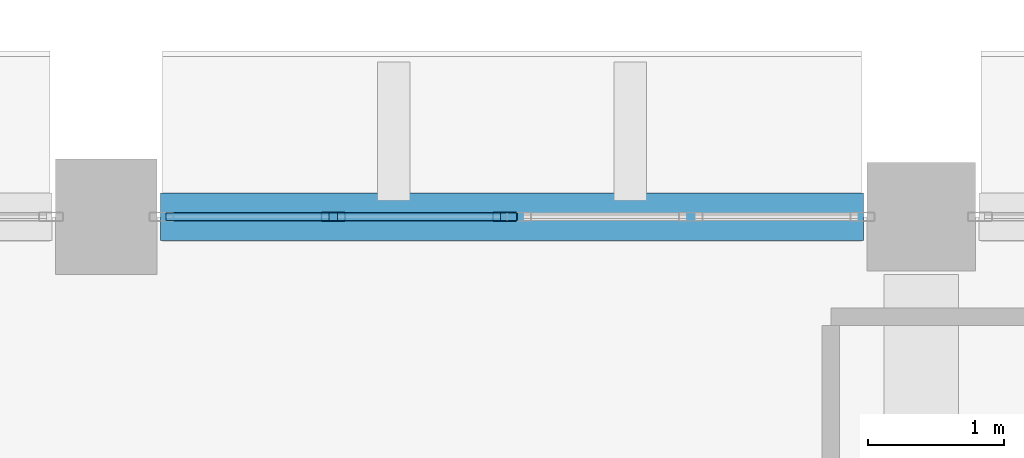
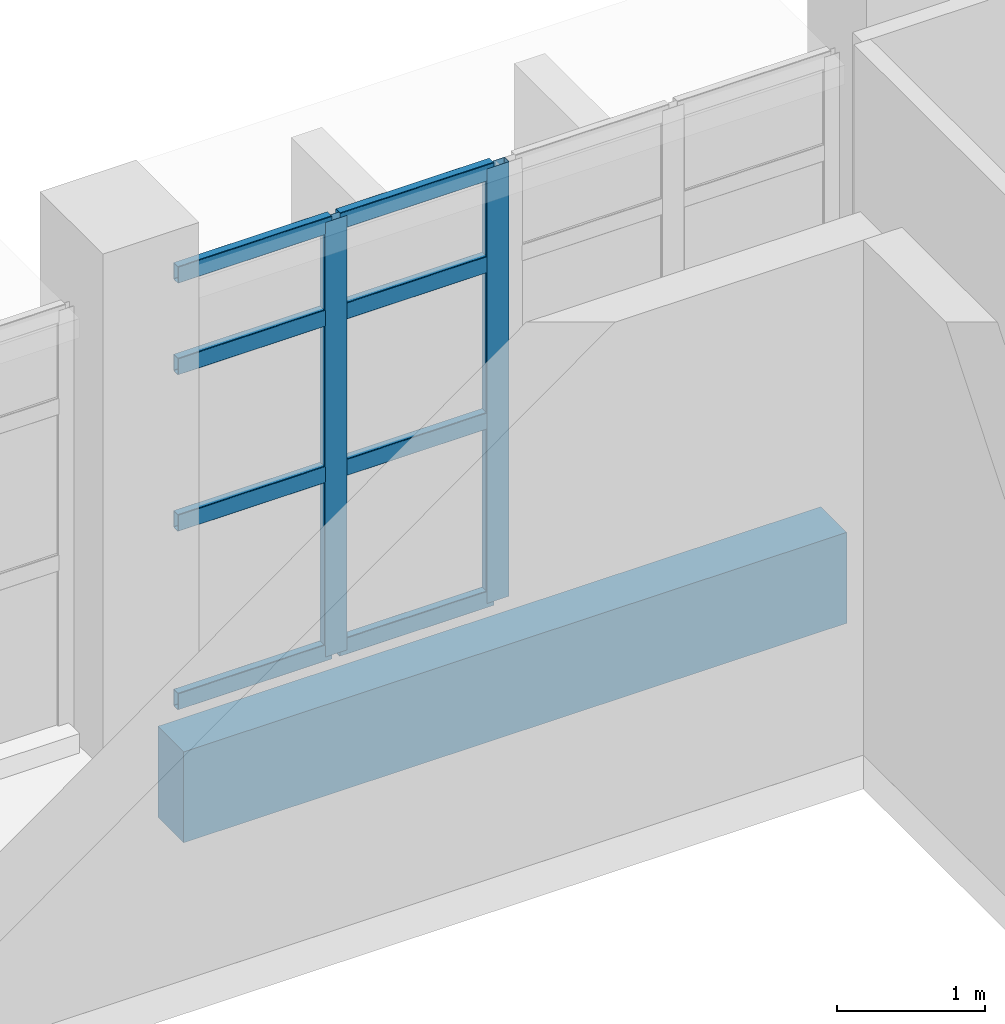
# One storey, part 33 of 76: 10 members, 1 beam, 1 element without a shape of its own.
"""IFC4 building model written with IfcOpenShell, lengths in metres."""

from ifc_helpers import new_model, si_unit, direction, frame, origin, origin_2d, place, context, subcontext, project, spatial, rectangle, hollow_rectangle, extrude, material, material_profile, profile_set, type_object, element, aggregate, save


model = new_model("IFC4")

# Units and contexts
model_context = context("Model", 3, precision=1e-05, world=origin(), true_north=direction((0.0, 1.0)))
body_context = subcontext(model_context, "Body", "Model", "MODEL_VIEW")
ifc_project = project(units=[si_unit("LENGTHUNIT", "METRE"), si_unit("AREAUNIT", "SQUARE_METRE"), si_unit("VOLUMEUNIT", "CUBIC_METRE"), si_unit("PLANEANGLEUNIT", "RADIAN"), si_unit("MASSUNIT", "GRAM", prefix="KILO")], contexts=[model_context])

# Site, building, storey
site_placement = place(None, origin())
site = spatial("IfcSite", under=ifc_project, at=site_placement, CompositionType="ELEMENT")
building_placement = place(site_placement, origin())
building = spatial("IfcBuilding", under=site, at=building_placement, Name="Varnakota Cinema and Media Centre", CompositionType="ELEMENT")
storey_placement = place(building_placement, origin())
storey = spatial("IfcBuildingStorey", under=building, at=storey_placement, Name="L00", CompositionType="ELEMENT", Elevation=0.0)

# Beam
ifc_material_1 = material(Name="Concrete M40", Category="concrete")
ifc_material_profile_1 = material_profile(ifc_material_1, rectangle(XDim=0.35009765625, YDim=0.75, at=origin_2d()), Name="RCB 350x750")
ifc_profile_set_1 = profile_set([ifc_material_profile_1], Name="Concrete M40")
beam_type = type_object("IfcBeamType", Name="BM-SP-350x750", PredefinedType="SPANDREL", material=ifc_profile_set_1)
beam_placement = place(storey_placement, frame((93.39990234375, 44.0, -0.655029296875), z_axis=(1.0, 0.0, 0.0), x_axis=(0.0, 1.0, 0.0)))
element("IfcBeam", 1, at=beam_placement, inside=storey, type_object=beam_type, Name="L00 girder N-P/6", PredefinedType="SPANDREL", context=body_context, shape_type="SweptSolid", body=[
    extrude(rectangle(XDim=0.35009765625, YDim=0.75, at=origin_2d()), origin(), (0.0, 0.0, 1.0), 5.175048828125),
])

# Curtain wall, members
ifc_material_2 = material(Name="Thermally broken anodised aluminium AW-6063", Category="aluminium")
curtain_wall_type = type_object("IfcCurtainWallType", Name="CW-STD-259x358", PredefinedType="USERDEFINED", material=ifc_material_2)
curtain_wall_placement = place(storey_placement, origin())
curtain_wall = element("IfcCurtainWall", 2, at=curtain_wall_placement, inside=storey, type_object=curtain_wall_type, Name="L00 curtain wall CW-L00-V1-N-04-1", ObjectType="UNITISED CURTAIN WALL", PredefinedType="USERDEFINED")
ifc_material_3 = material(Name="Thermally broken anodised aluminium AW-6063", Category="aluminium")
ifc_material_profile_2 = material_profile(ifc_material_3, hollow_rectangle(XDim=0.06494140625, YDim=0.179931640625, WallThickness=0.00390625, InnerFilletRadius=0.00390625, OuterFilletRadius=0.008056640625, at=origin_2d()), Name="AL-MULLION 180x65x4")
ifc_profile_set_2 = profile_set([ifc_material_profile_2], Name="Thermally broken anodised aluminium AW-6063")
member_type_1 = type_object("IfcMemberType", Name="CWM-AL-180", PredefinedType="MULLION", material=ifc_profile_set_2)
member_1_placement = place(storey_placement, frame((94.671142578125, 44.0, 0.0), z_axis=(0.0, 0.0, 1.0), x_axis=(0.0, 1.0, 0.0)))
member_1 = element("IfcMember", 3, at=member_1_placement, type_object=member_type_1, Name="CW06 mullion 2", PredefinedType="MULLION", context=body_context, shape_type="SweptSolid", body=[
    extrude(hollow_rectangle(XDim=0.06494140625, YDim=0.179931640625, WallThickness=0.00390625, InnerFilletRadius=0.00390625, OuterFilletRadius=0.008056640625, at=origin_2d()), origin(), (0.0, 0.0, 1.0), 3.5849609375),
])
member_2_placement = place(storey_placement, frame((95.93505859375, 44.0, 0.0), z_axis=(0.0, 0.0, 1.0), x_axis=(0.0, 1.0, 0.0)))
member_2 = element("IfcMember", 4, at=member_2_placement, type_object=member_type_1, Name="CW06 mullion 3", PredefinedType="MULLION", context=body_context, shape_type="SweptSolid", body=[
    extrude(hollow_rectangle(XDim=0.06494140625, YDim=0.179931640625, WallThickness=0.00390625, InnerFilletRadius=0.00390625, OuterFilletRadius=0.008056640625, at=origin_2d()), origin(), (0.0, 0.0, 1.0), 3.5849609375),
])
ifc_material_4 = material(Name="Thermally broken anodised aluminium AW-6063", Category="aluminium")
ifc_material_profile_3 = material_profile(ifc_material_4, hollow_rectangle(XDim=0.06494140625, YDim=0.139892578125, WallThickness=0.00390625, InnerFilletRadius=0.00390625, OuterFilletRadius=0.008056640625, at=origin_2d()), Name="AL-TRANSOM 140x65x4")
ifc_profile_set_3 = profile_set([ifc_material_profile_3], Name="Thermally broken anodised aluminium AW-6063")
member_type_2 = type_object("IfcMemberType", Name="CWT-AL-140", PredefinedType="USERDEFINED", material=ifc_profile_set_3)
member_3_placement = place(storey_placement, frame((93.43994140625, 44.0, 0.032470703125), z_axis=(1.0, 0.0, 0.0), x_axis=(0.0, 1.0, 0.0)))
member_3 = element("IfcMember", 5, at=member_3_placement, type_object=member_type_2, Name="CW06 transom 1.1", ObjectType="TRANSOM", PredefinedType="USERDEFINED", context=body_context, shape_type="SweptSolid", body=[
    extrude(hollow_rectangle(XDim=0.06494140625, YDim=0.139892578125, WallThickness=0.00390625, InnerFilletRadius=0.00390625, OuterFilletRadius=0.008056640625, at=origin_2d()), origin(), (0.0, 0.0, 1.0), 1.19873046875),
])
member_4_placement = place(storey_placement, frame((93.43994140625, 44.0, 1.505615234375), z_axis=(1.0, 0.0, 0.0), x_axis=(0.0, 1.0, 0.0)))
member_4 = element("IfcMember", 6, at=member_4_placement, type_object=member_type_2, Name="CW06 transom 1.2", ObjectType="TRANSOM", PredefinedType="USERDEFINED", context=body_context, shape_type="SweptSolid", body=[
    extrude(hollow_rectangle(XDim=0.06494140625, YDim=0.139892578125, WallThickness=0.00390625, InnerFilletRadius=0.00390625, OuterFilletRadius=0.008056640625, at=origin_2d()), origin(), (0.0, 0.0, 1.0), 1.19873046875),
])
member_5_placement = place(storey_placement, frame((93.43994140625, 44.0, 2.79638671875), z_axis=(1.0, 0.0, 0.0), x_axis=(0.0, 1.0, 0.0)))
member_5 = element("IfcMember", 7, at=member_5_placement, type_object=member_type_2, Name="CW06 transom 1.3", ObjectType="TRANSOM", PredefinedType="USERDEFINED", context=body_context, shape_type="SweptSolid", body=[
    extrude(hollow_rectangle(XDim=0.06494140625, YDim=0.139892578125, WallThickness=0.00390625, InnerFilletRadius=0.00390625, OuterFilletRadius=0.008056640625, at=origin_2d()), origin(), (0.0, 0.0, 1.0), 1.19873046875),
])
member_6_placement = place(storey_placement, frame((93.43994140625, 44.0, 3.552490234375), z_axis=(1.0, 0.0, 0.0), x_axis=(0.0, 1.0, 0.0)))
member_6 = element("IfcMember", 8, at=member_6_placement, type_object=member_type_2, Name="CW06 transom 1.4", ObjectType="TRANSOM", PredefinedType="USERDEFINED", context=body_context, shape_type="SweptSolid", body=[
    extrude(hollow_rectangle(XDim=0.06494140625, YDim=0.139892578125, WallThickness=0.00390625, InnerFilletRadius=0.00390625, OuterFilletRadius=0.008056640625, at=origin_2d()), origin(), (0.0, 0.0, 1.0), 1.19873046875),
])
member_7_placement = place(storey_placement, frame((94.703857421875, 44.0, 0.032470703125), z_axis=(1.0, 0.0, 0.0), x_axis=(0.0, 1.0, 0.0)))
member_7 = element("IfcMember", 9, at=member_7_placement, type_object=member_type_2, Name="CW06 transom 2.1", ObjectType="TRANSOM", PredefinedType="USERDEFINED", context=body_context, shape_type="SweptSolid", body=[
    extrude(hollow_rectangle(XDim=0.06494140625, YDim=0.139892578125, WallThickness=0.00390625, InnerFilletRadius=0.00390625, OuterFilletRadius=0.008056640625, at=origin_2d()), origin(), (0.0, 0.0, 1.0), 1.19873046875),
])
member_8_placement = place(storey_placement, frame((94.703857421875, 44.0, 1.505615234375), z_axis=(1.0, 0.0, 0.0), x_axis=(0.0, 1.0, 0.0)))
member_8 = element("IfcMember", 10, at=member_8_placement, type_object=member_type_2, Name="CW06 transom 2.2", ObjectType="TRANSOM", PredefinedType="USERDEFINED", context=body_context, shape_type="SweptSolid", body=[
    extrude(hollow_rectangle(XDim=0.06494140625, YDim=0.139892578125, WallThickness=0.00390625, InnerFilletRadius=0.00390625, OuterFilletRadius=0.008056640625, at=origin_2d()), origin(), (0.0, 0.0, 1.0), 1.19873046875),
])
member_9_placement = place(storey_placement, frame((94.703857421875, 44.0, 2.79638671875), z_axis=(1.0, 0.0, 0.0), x_axis=(0.0, 1.0, 0.0)))
member_9 = element("IfcMember", 11, at=member_9_placement, type_object=member_type_2, Name="CW06 transom 2.3", ObjectType="TRANSOM", PredefinedType="USERDEFINED", context=body_context, shape_type="SweptSolid", body=[
    extrude(hollow_rectangle(XDim=0.06494140625, YDim=0.139892578125, WallThickness=0.00390625, InnerFilletRadius=0.00390625, OuterFilletRadius=0.008056640625, at=origin_2d()), origin(), (0.0, 0.0, 1.0), 1.19873046875),
])
member_10_placement = place(storey_placement, frame((94.703857421875, 44.0, 3.552490234375), z_axis=(1.0, 0.0, 0.0), x_axis=(0.0, 1.0, 0.0)))
member_10 = element("IfcMember", 12, at=member_10_placement, type_object=member_type_2, Name="CW06 transom 2.4", ObjectType="TRANSOM", PredefinedType="USERDEFINED", context=body_context, shape_type="SweptSolid", body=[
    extrude(hollow_rectangle(XDim=0.06494140625, YDim=0.139892578125, WallThickness=0.00390625, InnerFilletRadius=0.00390625, OuterFilletRadius=0.008056640625, at=origin_2d()), origin(), (0.0, 0.0, 1.0), 1.19873046875),
])
aggregate(curtain_wall, [member_1, member_2, member_3, member_4, member_5, member_6, member_7, member_8, member_9, member_10])

save(model, "model.ifc")
